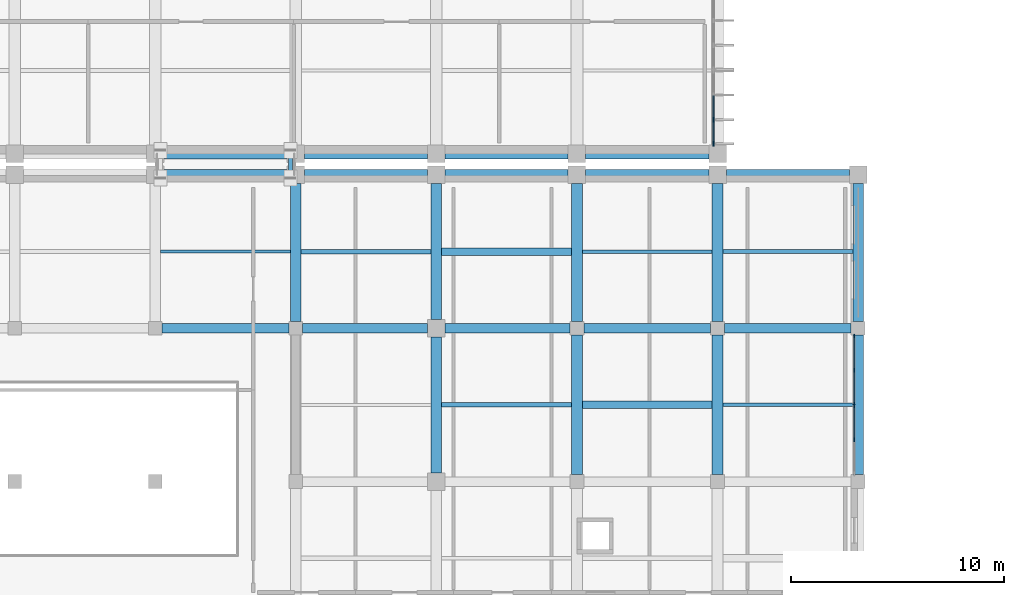
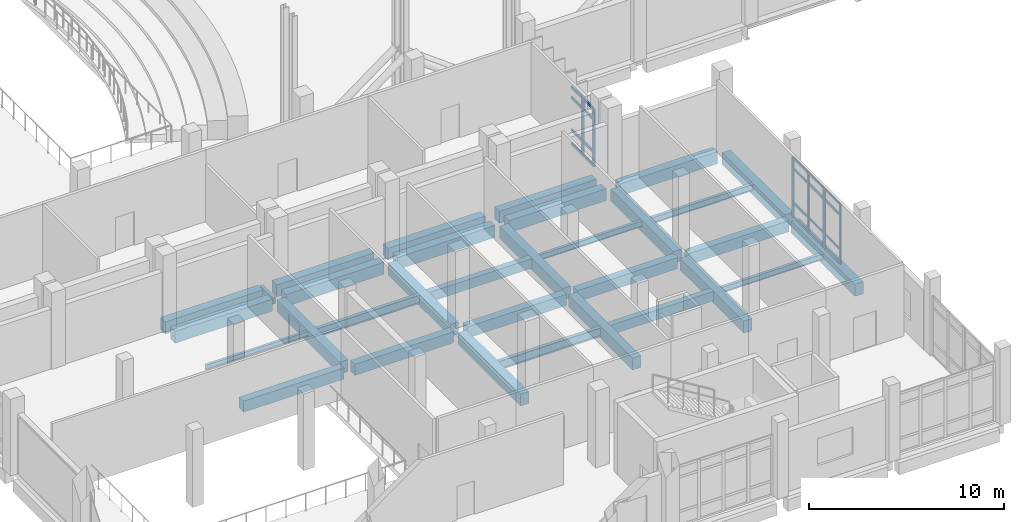
# One storey, part 11 of 73: 32 beams, 27 members, 3 elements without a shape of their own.
"""IFC4 building model written with IfcOpenShell, lengths in metres."""

from ifc_helpers import new_model, si_unit, direction, frame, origin, origin_2d, place, context, subcontext, project, spatial, rectangle, hollow_rectangle, i_section, extrude, material, layer, layer_set, material_profile, profile_set, type_object, element, aggregate, save


model = new_model("IFC4")

# Units and contexts
model_context = context("Model", 3, precision=1e-05, world=origin(), true_north=direction((0.0, 1.0)))
body_context = subcontext(model_context, "Body", "Model", "MODEL_VIEW")
ifc_project = project(units=[si_unit("LENGTHUNIT", "METRE"), si_unit("AREAUNIT", "SQUARE_METRE"), si_unit("VOLUMEUNIT", "CUBIC_METRE"), si_unit("PLANEANGLEUNIT", "RADIAN"), si_unit("MASSUNIT", "GRAM", prefix="KILO")], contexts=[model_context])

# Site, building, storey
site_placement = place(None, origin())
site = spatial("IfcSite", under=ifc_project, at=site_placement, CompositionType="ELEMENT")
building_placement = place(site_placement, origin())
building = spatial("IfcBuilding", under=site, at=building_placement, Name="Kelarvand Opera House", CompositionType="ELEMENT")
storey_placement = place(building_placement, frame((0.0, 0.0, 10.199951171875)))
storey = spatial("IfcBuildingStorey", under=building, at=storey_placement, Name="L02", CompositionType="ELEMENT", Elevation=10.199951171875)

# Curtain wall, members
ifc_material_1 = material(Name="Thermally broken aluminium and low-E glazing", Category="aluminium")
ifc_layer_1 = layer(ifc_material_1, 0.179931640625, Name="Thermally broken aluminium and low-E glazing", Category="aluminium")
ifc_layer_set_1 = layer_set([ifc_layer_1], Name="Thermally broken aluminium and low-E glazing")
curtain_wall_type_1 = type_object("IfcCurtainWallType", Name="Unitised Low-E Curtain Wall 3261x3750 Mod 1350 CWF-26", PredefinedType="USERDEFINED", material=ifc_layer_set_1)
curtain_wall_1_placement = place(storey_placement, origin())
curtain_wall_1 = element("IfcCurtainWall", 1, at=curtain_wall_1_placement, inside=storey, type_object=curtain_wall_type_1, Name="V6 L02 Curtain Wall CWF-26 (217)", ObjectType="UNITISED CURTAIN WALL", PredefinedType="USERDEFINED")
ifc_material_2 = material(Name="Thermally broken anodised aluminium", Category="aluminium")
ifc_material_profile_1 = material_profile(ifc_material_2, rectangle(XDim=0.06494140625, YDim=0.179931640625, at=origin_2d()), Name="ALU MULLION 65x180", Category="aluminium")
ifc_profile_set_1 = profile_set([ifc_material_profile_1], Name="Thermally broken anodised aluminium")
member_type_1 = type_object("IfcMemberType", Name="Curtain Wall Mullion 65x180 Aluminium", PredefinedType="MULLION", material=ifc_profile_set_1)
member_1_placement = place(storey_placement, frame((135.02001953125, 30.232421875, 0.0), z_axis=(0.0, 0.0, 1.0), x_axis=(1.0, 0.0, 0.0)))
member_1 = element("IfcMember", 2, at=member_1_placement, type_object=member_type_1, Name="CWF-26 mullion 1", PredefinedType="MULLION", context=body_context, shape_type="SweptSolid", body=[
    extrude(rectangle(XDim=0.06494140625, YDim=0.179931640625, at=origin_2d()), origin(), (0.0, 0.0, 1.0), 3.75),
])
member_2_placement = place(storey_placement, frame((135.02001953125, 28.634521484375, 0.0), z_axis=(0.0, 0.0, 1.0), x_axis=(1.0, 0.0, 0.0)))
member_2 = element("IfcMember", 3, at=member_2_placement, type_object=member_type_1, Name="CWF-26 mullion 2", PredefinedType="MULLION", context=body_context, shape_type="SweptSolid", body=[
    extrude(rectangle(XDim=0.06494140625, YDim=0.179931640625, at=origin_2d()), origin(), (0.0, 0.0, 1.0), 3.75),
])
member_3_placement = place(storey_placement, frame((135.02001953125, 27.03662109375, 0.0), z_axis=(0.0, 0.0, 1.0), x_axis=(1.0, 0.0, 0.0)))
member_3 = element("IfcMember", 4, at=member_3_placement, type_object=member_type_1, Name="CWF-26 mullion 3", PredefinedType="MULLION", context=body_context, shape_type="SweptSolid", body=[
    extrude(rectangle(XDim=0.06494140625, YDim=0.179931640625, at=origin_2d()), origin(), (0.0, 0.0, 1.0), 3.75),
])

curtain_wall_2_placement = place(storey_placement, origin())
curtain_wall_2 = element("IfcCurtainWall", 5, at=curtain_wall_2_placement, inside=storey, type_object=curtain_wall_type_1, Name="V6 L02 Curtain Wall CWF-26 (218)", ObjectType="UNITISED CURTAIN WALL", PredefinedType="USERDEFINED")
member_4_placement = place(storey_placement, frame((135.02001953125, 26.967529296875, 0.0), z_axis=(0.0, 0.0, 1.0), x_axis=(1.0, 0.0, 0.0)))
member_4 = element("IfcMember", 6, at=member_4_placement, type_object=member_type_1, Name="CWF-26 mullion 1", PredefinedType="MULLION", context=body_context, shape_type="SweptSolid", body=[
    extrude(rectangle(XDim=0.06494140625, YDim=0.179931640625, at=origin_2d()), origin(), (0.0, 0.0, 1.0), 3.75),
])
member_5_placement = place(storey_placement, frame((135.02001953125, 25.367431640625, 0.0), z_axis=(0.0, 0.0, 1.0), x_axis=(1.0, 0.0, 0.0)))
member_5 = element("IfcMember", 7, at=member_5_placement, type_object=member_type_1, Name="CWF-26 mullion 2", PredefinedType="MULLION", context=body_context, shape_type="SweptSolid", body=[
    extrude(rectangle(XDim=0.06494140625, YDim=0.179931640625, at=origin_2d()), origin(), (0.0, 0.0, 1.0), 3.75),
])

ifc_layer_2 = layer(ifc_material_1, 0.219970703125, Name="Thermally broken aluminium and low-E glazing", Category="aluminium")
ifc_layer_set_2 = layer_set([ifc_layer_2], Name="Thermally broken aluminium and low-E glazing")
curtain_wall_type_2 = type_object("IfcCurtainWallType", Name="Unitised Low-E Curtain Wall 3493x3630 Mod 1150 CWF-05", PredefinedType="USERDEFINED", material=ifc_layer_set_2)
curtain_wall_3_placement = place(storey_placement, origin())
curtain_wall_3 = element("IfcCurtainWall", 8, at=curtain_wall_3_placement, inside=storey, type_object=curtain_wall_type_2, Name="V1 L02 Curtain Wall CWF-05 (20)", ObjectType="UNITISED CURTAIN WALL", PredefinedType="USERDEFINED")
ifc_material_profile_2 = material_profile(ifc_material_2, rectangle(XDim=0.074951171875, YDim=0.219970703125, at=origin_2d()), Name="ALU MULLION 75x220", Category="aluminium")
ifc_profile_set_2 = profile_set([ifc_material_profile_2], Name="Thermally broken anodised aluminium")
member_type_2 = type_object("IfcMemberType", Name="Curtain Wall Mullion 75x220 Heavy Plaza", PredefinedType="MULLION", material=ifc_profile_set_2)
member_6_placement = place(storey_placement, frame((128.419921875, 40.3857421875, 0.0), z_axis=(0.0, 0.0, 1.0), x_axis=(1.0, 0.0, 0.0)))
member_6 = element("IfcMember", 9, at=member_6_placement, type_object=member_type_2, Name="CWF-05 mullion 3", PredefinedType="MULLION", context=body_context, shape_type="SweptSolid", body=[
    extrude(rectangle(XDim=0.074951171875, YDim=0.219970703125, at=origin_2d()), origin(), (0.0, 0.0, 1.0), 3.630126953125),
])
member_7_placement = place(storey_placement, frame((128.419921875, 39.257568359375, 0.0), z_axis=(0.0, 0.0, 1.0), x_axis=(1.0, 0.0, 0.0)))
member_7 = element("IfcMember", 10, at=member_7_placement, type_object=member_type_2, Name="CWF-05 mullion 4", PredefinedType="MULLION", context=body_context, shape_type="SweptSolid", body=[
    extrude(rectangle(XDim=0.074951171875, YDim=0.219970703125, at=origin_2d()), origin(), (0.0, 0.0, 1.0), 3.630126953125),
])

# Member
ifc_material_profile_3 = material_profile(ifc_material_2, rectangle(XDim=0.06494140625, YDim=0.139892578125, at=origin_2d()), Name="ALU TRANSOM 65x140", Category="aluminium")
ifc_profile_set_3 = profile_set([ifc_material_profile_3], Name="Thermally broken anodised aluminium")
member_type_3 = type_object("IfcMemberType", Name="Curtain Wall Transom 65x140 Aluminium", PredefinedType="USERDEFINED", material=ifc_profile_set_3)
member_8_placement = place(storey_placement, frame((135.02001953125, 30.199951171875, 0.032470703125), z_axis=(0.0, -1.0, 0.0), x_axis=(1.0, 0.0, 0.0)))
member_8 = element("IfcMember", 11, at=member_8_placement, type_object=member_type_3, Name="CWF-26 transom 1.1", ObjectType="TRANSOM", PredefinedType="USERDEFINED", context=body_context, shape_type="SweptSolid", body=[
    extrude(rectangle(XDim=0.06494140625, YDim=0.139892578125, at=origin_2d()), origin(), (0.0, 0.0, 1.0), 1.532958984375),
])

member_9_placement = place(storey_placement, frame((135.02001953125, 30.199951171875, 0.900146484375), z_axis=(0.0, -1.0, 0.0), x_axis=(1.0, 0.0, 0.0)))
member_9 = element("IfcMember", 12, at=member_9_placement, type_object=member_type_3, Name="CWF-26 transom 1.2", ObjectType="TRANSOM", PredefinedType="USERDEFINED", context=body_context, shape_type="SweptSolid", body=[
    extrude(rectangle(XDim=0.06494140625, YDim=0.139892578125, at=origin_2d()), origin(), (0.0, 0.0, 1.0), 1.532958984375),
])

member_10_placement = place(storey_placement, frame((135.02001953125, 30.199951171875, 3.050048828125), z_axis=(0.0, -1.0, 0.0), x_axis=(1.0, 0.0, 0.0)))
member_10 = element("IfcMember", 13, at=member_10_placement, type_object=member_type_3, Name="CWF-26 transom 1.3", ObjectType="TRANSOM", PredefinedType="USERDEFINED", context=body_context, shape_type="SweptSolid", body=[
    extrude(rectangle(XDim=0.06494140625, YDim=0.139892578125, at=origin_2d()), origin(), (0.0, 0.0, 1.0), 1.532958984375),
])

member_11_placement = place(storey_placement, frame((135.02001953125, 30.199951171875, 3.717529296875), z_axis=(0.0, -1.0, 0.0), x_axis=(1.0, 0.0, 0.0)))
member_11 = element("IfcMember", 14, at=member_11_placement, type_object=member_type_3, Name="CWF-26 transom 1.4", ObjectType="TRANSOM", PredefinedType="USERDEFINED", context=body_context, shape_type="SweptSolid", body=[
    extrude(rectangle(XDim=0.06494140625, YDim=0.139892578125, at=origin_2d()), origin(), (0.0, 0.0, 1.0), 1.532958984375),
])

member_12_placement = place(storey_placement, frame((135.02001953125, 28.60205078125, 0.032470703125), z_axis=(0.0, -1.0, 0.0), x_axis=(1.0, 0.0, 0.0)))
member_12 = element("IfcMember", 15, at=member_12_placement, type_object=member_type_3, Name="CWF-26 transom 2.1", ObjectType="TRANSOM", PredefinedType="USERDEFINED", context=body_context, shape_type="SweptSolid", body=[
    extrude(rectangle(XDim=0.06494140625, YDim=0.139892578125, at=origin_2d()), origin(), (0.0, 0.0, 1.0), 1.532958984375),
])

member_13_placement = place(storey_placement, frame((135.02001953125, 28.60205078125, 0.900146484375), z_axis=(0.0, -1.0, 0.0), x_axis=(1.0, 0.0, 0.0)))
member_13 = element("IfcMember", 16, at=member_13_placement, type_object=member_type_3, Name="CWF-26 transom 2.2", ObjectType="TRANSOM", PredefinedType="USERDEFINED", context=body_context, shape_type="SweptSolid", body=[
    extrude(rectangle(XDim=0.06494140625, YDim=0.139892578125, at=origin_2d()), origin(), (0.0, 0.0, 1.0), 1.532958984375),
])

member_14_placement = place(storey_placement, frame((135.02001953125, 28.60205078125, 3.050048828125), z_axis=(0.0, -1.0, 0.0), x_axis=(1.0, 0.0, 0.0)))
member_14 = element("IfcMember", 17, at=member_14_placement, type_object=member_type_3, Name="CWF-26 transom 2.3", ObjectType="TRANSOM", PredefinedType="USERDEFINED", context=body_context, shape_type="SweptSolid", body=[
    extrude(rectangle(XDim=0.06494140625, YDim=0.139892578125, at=origin_2d()), origin(), (0.0, 0.0, 1.0), 1.532958984375),
])

member_15_placement = place(storey_placement, frame((135.02001953125, 28.60205078125, 3.717529296875), z_axis=(0.0, -1.0, 0.0), x_axis=(1.0, 0.0, 0.0)))
member_15 = element("IfcMember", 18, at=member_15_placement, type_object=member_type_3, Name="CWF-26 transom 2.4", ObjectType="TRANSOM", PredefinedType="USERDEFINED", context=body_context, shape_type="SweptSolid", body=[
    extrude(rectangle(XDim=0.06494140625, YDim=0.139892578125, at=origin_2d()), origin(), (0.0, 0.0, 1.0), 1.532958984375),
])

aggregate(curtain_wall_1, [member_1, member_2, member_3, member_8, member_9, member_10, member_11, member_12, member_13, member_14, member_15])

member_16_placement = place(storey_placement, frame((135.02001953125, 26.93505859375, 0.032470703125), z_axis=(0.0, -1.0, 0.0), x_axis=(1.0, 0.0, 0.0)))
member_16 = element("IfcMember", 19, at=member_16_placement, type_object=member_type_3, Name="CWF-26 transom 1.1", ObjectType="TRANSOM", PredefinedType="USERDEFINED", context=body_context, shape_type="SweptSolid", body=[
    extrude(rectangle(XDim=0.06494140625, YDim=0.139892578125, at=origin_2d()), origin(), (0.0, 0.0, 1.0), 1.53515625),
])

member_17_placement = place(storey_placement, frame((135.02001953125, 26.93505859375, 0.900146484375), z_axis=(0.0, -1.0, 0.0), x_axis=(1.0, 0.0, 0.0)))
member_17 = element("IfcMember", 20, at=member_17_placement, type_object=member_type_3, Name="CWF-26 transom 1.2", ObjectType="TRANSOM", PredefinedType="USERDEFINED", context=body_context, shape_type="SweptSolid", body=[
    extrude(rectangle(XDim=0.06494140625, YDim=0.139892578125, at=origin_2d()), origin(), (0.0, 0.0, 1.0), 1.53515625),
])

member_18_placement = place(storey_placement, frame((135.02001953125, 26.93505859375, 3.050048828125), z_axis=(0.0, -1.0, 0.0), x_axis=(1.0, 0.0, 0.0)))
member_18 = element("IfcMember", 21, at=member_18_placement, type_object=member_type_3, Name="CWF-26 transom 1.3", ObjectType="TRANSOM", PredefinedType="USERDEFINED", context=body_context, shape_type="SweptSolid", body=[
    extrude(rectangle(XDim=0.06494140625, YDim=0.139892578125, at=origin_2d()), origin(), (0.0, 0.0, 1.0), 1.53515625),
])

member_19_placement = place(storey_placement, frame((135.02001953125, 26.93505859375, 3.717529296875), z_axis=(0.0, -1.0, 0.0), x_axis=(1.0, 0.0, 0.0)))
member_19 = element("IfcMember", 22, at=member_19_placement, type_object=member_type_3, Name="CWF-26 transom 1.4", ObjectType="TRANSOM", PredefinedType="USERDEFINED", context=body_context, shape_type="SweptSolid", body=[
    extrude(rectangle(XDim=0.06494140625, YDim=0.139892578125, at=origin_2d()), origin(), (0.0, 0.0, 1.0), 1.53515625),
])

aggregate(curtain_wall_2, [member_4, member_5, member_16, member_17, member_18, member_19])

ifc_material_profile_4 = material_profile(ifc_material_2, rectangle(XDim=0.074951171875, YDim=0.159912109375, at=origin_2d()), Name="ALU TRANSOM 75x160", Category="aluminium")
ifc_profile_set_4 = profile_set([ifc_material_profile_4], Name="Thermally broken anodised aluminium")
member_type_4 = type_object("IfcMemberType", Name="Curtain Wall Transom 75x160 Heavy Plaza", PredefinedType="USERDEFINED", material=ifc_profile_set_4)
member_20_placement = place(storey_placement, frame((128.419921875, 41.51416015625, 0.03759765625), z_axis=(0.0, -1.0, 0.0), x_axis=(1.0, 0.0, 0.0)))
member_20 = element("IfcMember", 23, at=member_20_placement, type_object=member_type_4, Name="CWF-05 transom 2.1", ObjectType="TRANSOM", PredefinedType="USERDEFINED", context=body_context, shape_type="SweptSolid", body=[
    extrude(rectangle(XDim=0.074951171875, YDim=0.159912109375, at=origin_2d()), origin(), (0.0, 0.0, 1.0), 1.0908203125),
])

member_21_placement = place(storey_placement, frame((128.419921875, 41.51416015625, 0.900146484375), z_axis=(0.0, -1.0, 0.0), x_axis=(1.0, 0.0, 0.0)))
member_21 = element("IfcMember", 24, at=member_21_placement, type_object=member_type_4, Name="CWF-05 transom 2.2", ObjectType="TRANSOM", PredefinedType="USERDEFINED", context=body_context, shape_type="SweptSolid", body=[
    extrude(rectangle(XDim=0.074951171875, YDim=0.159912109375, at=origin_2d()), origin(), (0.0, 0.0, 1.0), 1.0908203125),
])

member_22_placement = place(storey_placement, frame((128.419921875, 41.51416015625, 2.929931640625), z_axis=(0.0, -1.0, 0.0), x_axis=(1.0, 0.0, 0.0)))
member_22 = element("IfcMember", 25, at=member_22_placement, type_object=member_type_4, Name="CWF-05 transom 2.3", ObjectType="TRANSOM", PredefinedType="USERDEFINED", context=body_context, shape_type="SweptSolid", body=[
    extrude(rectangle(XDim=0.074951171875, YDim=0.159912109375, at=origin_2d()), origin(), (0.0, 0.0, 1.0), 1.0908203125),
])

member_23_placement = place(storey_placement, frame((128.419921875, 41.51416015625, 3.592529296875), z_axis=(0.0, -1.0, 0.0), x_axis=(1.0, 0.0, 0.0)))
member_23 = element("IfcMember", 26, at=member_23_placement, type_object=member_type_4, Name="CWF-05 transom 2.4", ObjectType="TRANSOM", PredefinedType="USERDEFINED", context=body_context, shape_type="SweptSolid", body=[
    extrude(rectangle(XDim=0.074951171875, YDim=0.159912109375, at=origin_2d()), origin(), (0.0, 0.0, 1.0), 1.0908203125),
])

member_24_placement = place(storey_placement, frame((128.419921875, 40.348388671875, 0.03759765625), z_axis=(0.0, -1.0, 0.0), x_axis=(1.0, 0.0, 0.0)))
member_24 = element("IfcMember", 27, at=member_24_placement, type_object=member_type_4, Name="CWF-05 transom 3.1", ObjectType="TRANSOM", PredefinedType="USERDEFINED", context=body_context, shape_type="SweptSolid", body=[
    extrude(rectangle(XDim=0.074951171875, YDim=0.159912109375, at=origin_2d()), origin(), (0.0, 0.0, 1.0), 1.053466796875),
])

member_25_placement = place(storey_placement, frame((128.419921875, 40.348388671875, 0.900146484375), z_axis=(0.0, -1.0, 0.0), x_axis=(1.0, 0.0, 0.0)))
member_25 = element("IfcMember", 28, at=member_25_placement, type_object=member_type_4, Name="CWF-05 transom 3.2", ObjectType="TRANSOM", PredefinedType="USERDEFINED", context=body_context, shape_type="SweptSolid", body=[
    extrude(rectangle(XDim=0.074951171875, YDim=0.159912109375, at=origin_2d()), origin(), (0.0, 0.0, 1.0), 1.053466796875),
])

member_26_placement = place(storey_placement, frame((128.419921875, 40.348388671875, 2.929931640625), z_axis=(0.0, -1.0, 0.0), x_axis=(1.0, 0.0, 0.0)))
member_26 = element("IfcMember", 29, at=member_26_placement, type_object=member_type_4, Name="CWF-05 transom 3.3", ObjectType="TRANSOM", PredefinedType="USERDEFINED", context=body_context, shape_type="SweptSolid", body=[
    extrude(rectangle(XDim=0.074951171875, YDim=0.159912109375, at=origin_2d()), origin(), (0.0, 0.0, 1.0), 1.053466796875),
])

member_27_placement = place(storey_placement, frame((128.419921875, 40.348388671875, 3.592529296875), z_axis=(0.0, -1.0, 0.0), x_axis=(1.0, 0.0, 0.0)))
member_27 = element("IfcMember", 30, at=member_27_placement, type_object=member_type_4, Name="CWF-05 transom 3.4", ObjectType="TRANSOM", PredefinedType="USERDEFINED", context=body_context, shape_type="SweptSolid", body=[
    extrude(rectangle(XDim=0.074951171875, YDim=0.159912109375, at=origin_2d()), origin(), (0.0, 0.0, 1.0), 1.053466796875),
])

aggregate(curtain_wall_3, [member_6, member_7, member_20, member_21, member_22, member_23, member_24, member_25, member_26, member_27])

# Beams
ifc_material_3 = material(Name="Concrete C35/45", Category="concrete")
ifc_material_profile_5 = material_profile(ifc_material_3, rectangle(XDim=0.35009765625, YDim=0.60009765625, at=origin_2d()), Name="RC 350x600", Category="concrete")
ifc_profile_set_5 = profile_set([ifc_material_profile_5], Name="Concrete C35/45")
beam_type_1 = type_object("IfcBeamType", Name="Structural Beam RC 350x600 BM-RC350x600", PredefinedType="BEAM", material=ifc_profile_set_5)
for number, where, z_axis, x_axis, name in (
    (31, (115.64990234375, 34.199951171875, -0.599853515625), (1.0, 0.0, 0.0), (0.0, 1.0, 0.0), "V6 L02 Beam BM-RC350x600"),
    (32, (122.25, 27.0, -0.599853515625), (1.0, 0.0, 0.0), (0.0, 1.0, 0.0), "V6 L02 Beam BM-RC350x600"),
):
    element("IfcBeam", number, at=place(storey_placement, frame(where, z_axis=z_axis, x_axis=x_axis)), inside=storey, type_object=beam_type_1, Name=name, PredefinedType="BEAM", context=body_context, shape_type="SweptSolid", body=[
        extrude(rectangle(XDim=0.35009765625, YDim=0.60009765625, at=origin_2d()), origin(), (0.0, 0.0, 1.0), 6.10009765625),
    ])
ifc_material_4 = material(Name="Concrete C40/50", Category="concrete")
ifc_material_profile_6 = material_profile(ifc_material_4, rectangle(XDim=0.449951171875, YDim=0.699951171875, at=origin_2d()), Name="RC 450x700", Category="concrete")
ifc_profile_set_6 = profile_set([ifc_material_profile_6], Name="Concrete C40/50")
beam_type_2 = type_object("IfcBeamType", Name="Structural Beam RC 450x700 BM-RC450x700", PredefinedType="BEAM", material=ifc_profile_set_6)
beam_1_placement = place(storey_placement, frame((102.52490234375, 30.60009765625, -0.64990234375), z_axis=(1.0, 0.0, 0.0), x_axis=(0.0, 1.0, 0.0)))
element("IfcBeam", 33, at=beam_1_placement, inside=storey, type_object=beam_type_2, Name="V6 L02 Beam BM-RC450x700", PredefinedType="BEAM", context=body_context, shape_type="SweptSolid", body=[
    extrude(rectangle(XDim=0.449951171875, YDim=0.699951171875, at=origin_2d()), origin(), (0.0, 0.0, 1.0), 5.9501953125),
])
for number, where, z_axis, x_axis, name in (
    (34, (109.125, 30.60009765625, -0.64990234375), (1.0, 0.0, 0.0), (0.0, 1.0, 0.0), "V6 L02 Beam BM-RC450x700"),
    (35, (115.81005859375, 30.60009765625, -0.64990234375), (1.0, 0.0, 0.0), (0.0, 1.0, 0.0), "V6 L02 Beam BM-RC450x700"),
):
    element("IfcBeam", number, at=place(storey_placement, frame(where, z_axis=z_axis, x_axis=x_axis)), inside=storey, type_object=beam_type_2, Name=name, PredefinedType="BEAM", context=body_context, shape_type="SweptSolid", body=[
        extrude(rectangle(XDim=0.449951171875, YDim=0.699951171875, at=origin_2d()), origin(), (0.0, 0.0, 1.0), 5.864990234375),
    ])
for number, where, z_axis, x_axis, name in (
    (36, (122.324951171875, 30.60009765625, -0.64990234375), (1.0, 0.0, 0.0), (0.0, 1.0, 0.0), "V6 L02 Beam BM-RC450x700"),
    (37, (128.925048828125, 30.60009765625, -0.64990234375), (1.0, 0.0, 0.0), (0.0, 1.0, 0.0), "V6 L02 Beam BM-RC450x700"),
):
    element("IfcBeam", number, at=place(storey_placement, frame(where, z_axis=z_axis, x_axis=x_axis)), inside=storey, type_object=beam_type_2, Name=name, PredefinedType="BEAM", context=body_context, shape_type="SweptSolid", body=[
        extrude(rectangle(XDim=0.449951171875, YDim=0.699951171875, at=origin_2d()), origin(), (0.0, 0.0, 1.0), 5.949951171875),
    ])
ifc_material_profile_7 = material_profile(ifc_material_4, rectangle(XDim=0.5, YDim=0.75, at=origin_2d()), Name="RC 500x750", Category="concrete")
ifc_profile_set_7 = profile_set([ifc_material_profile_7], Name="Concrete C40/50")
beam_type_3 = type_object("IfcBeamType", Name="Structural Beam RC 500x750 BM-RC500x750", PredefinedType="BEAM", material=ifc_profile_set_7)
beam_2_placement = place(storey_placement, frame((108.800048828125, 30.925048828125, -0.675048828125), z_axis=(0.0, 1.0, 0.0), x_axis=(-1.0, 0.0, 0.0)))
element("IfcBeam", 38, at=beam_2_placement, inside=storey, type_object=beam_type_3, Name="V6 L02 Beam BM-RC500x750", PredefinedType="BEAM", context=body_context, shape_type="SweptSolid", body=[
    extrude(rectangle(XDim=0.5, YDim=0.75, at=origin_2d()), origin(), (0.0, 0.0, 1.0), 6.46484375),
])
for number, where, z_axis, x_axis, name in (
    (39, (115.39990234375, 23.81005859375, -0.675048828125), (0.0, 1.0, 0.0), (-1.0, 0.0, 0.0), "V6 L02 Beam BM-RC500x750"),
    (40, (115.39990234375, 31.010009765625, -0.675048828125), (0.0, 1.0, 0.0), (-1.0, 0.0, 0.0), "V6 L02 Beam BM-RC500x750"),
):
    element("IfcBeam", number, at=place(storey_placement, frame(where, z_axis=z_axis, x_axis=x_axis)), inside=storey, type_object=beam_type_3, Name=name, PredefinedType="BEAM", context=body_context, shape_type="SweptSolid", body=[
        extrude(rectangle(XDim=0.5, YDim=0.75, at=origin_2d()), origin(), (0.0, 0.0, 1.0), 6.3798828125),
    ])
beam_3_placement = place(storey_placement, frame((122.0, 23.72509765625, -0.675048828125), z_axis=(0.0, 1.0, 0.0), x_axis=(-1.0, 0.0, 0.0)))
element("IfcBeam", 41, at=beam_3_placement, inside=storey, type_object=beam_type_3, Name="V6 L02 Beam BM-RC500x750", PredefinedType="BEAM", context=body_context, shape_type="SweptSolid", body=[
    extrude(rectangle(XDim=0.5, YDim=0.75, at=origin_2d()), origin(), (0.0, 0.0, 1.0), 6.5498046875),
])
beam_4_placement = place(storey_placement, frame((122.0, 30.925048828125, -0.675048828125), z_axis=(0.0, 1.0, 0.0), x_axis=(-1.0, 0.0, 0.0)))
element("IfcBeam", 42, at=beam_4_placement, inside=storey, type_object=beam_type_3, Name="V6 L02 Beam BM-RC500x750", PredefinedType="BEAM", context=body_context, shape_type="SweptSolid", body=[
    extrude(rectangle(XDim=0.5, YDim=0.75, at=origin_2d()), origin(), (0.0, 0.0, 1.0), 6.46484375),
])
beam_5_placement = place(storey_placement, frame((128.60009765625, 23.72509765625, -0.675048828125), z_axis=(0.0, 1.0, 0.0), x_axis=(-1.0, 0.0, 0.0)))
element("IfcBeam", 43, at=beam_5_placement, inside=storey, type_object=beam_type_3, Name="V6 L02 Beam BM-RC500x750", PredefinedType="BEAM", context=body_context, shape_type="SweptSolid", body=[
    extrude(rectangle(XDim=0.5, YDim=0.75, at=origin_2d()), origin(), (0.0, 0.0, 1.0), 6.5498046875),
])
beam_6_placement = place(storey_placement, frame((128.60009765625, 30.925048828125, -0.675048828125), z_axis=(0.0, 1.0, 0.0), x_axis=(-1.0, 0.0, 0.0)))
element("IfcBeam", 44, at=beam_6_placement, inside=storey, type_object=beam_type_3, Name="V6 L02 Beam BM-RC500x750", PredefinedType="BEAM", context=body_context, shape_type="SweptSolid", body=[
    extrude(rectangle(XDim=0.5, YDim=0.75, at=origin_2d()), origin(), (0.0, 0.0, 1.0), 6.46484375),
])
beam_7_placement = place(storey_placement, frame((135.199951171875, 23.72509765625, -0.675048828125), z_axis=(0.0, 1.0, 0.0), x_axis=(-1.0, 0.0, 0.0)))
element("IfcBeam", 45, at=beam_7_placement, inside=storey, type_object=beam_type_3, Name="V6 L02 Beam BM-RC500x750", PredefinedType="BEAM", context=body_context, shape_type="SweptSolid", body=[
    extrude(rectangle(XDim=0.5, YDim=0.75, at=origin_2d()), origin(), (0.0, 0.0, 1.0), 6.5498046875),
])
beam_8_placement = place(storey_placement, frame((135.199951171875, 30.925048828125, -0.675048828125), z_axis=(0.0, 1.0, 0.0), x_axis=(-1.0, 0.0, 0.0)))
element("IfcBeam", 46, at=beam_8_placement, inside=storey, type_object=beam_type_3, Name="V6 L02 Beam BM-RC500x750", PredefinedType="BEAM", context=body_context, shape_type="SweptSolid", body=[
    extrude(rectangle(XDim=0.5, YDim=0.75, at=origin_2d()), origin(), (0.0, 0.0, 1.0), 6.46484375),
])
ifc_material_5 = material(Name="Steel S355", Category="steel")
ifc_material_profile_8 = material_profile(ifc_material_5, hollow_rectangle(XDim=0.199951171875, YDim=0.39990234375, WallThickness=0.01611328125, at=origin_2d()), Name="RHS 400x200x16.0", Category="steel")
ifc_profile_set_8 = profile_set([ifc_material_profile_8], Name="Steel S355")
beam_type_4 = type_object("IfcBeamType", Name="Structural Beam RHS 400x200x16.0 BM-RHS400", PredefinedType="BEAM", material=ifc_profile_set_8)
beam_9_placement = place(storey_placement, frame((108.550048828125, 37.64990234375, -0.52001953125), z_axis=(0.0, 1.0, 0.0), x_axis=(-1.0, 0.0, 0.0)))
element("IfcBeam", 47, at=beam_9_placement, inside=storey, type_object=beam_type_4, Name="Seismic Sliding Corbel Beam BR-JS-E L02 2", PredefinedType="BEAM", context=body_context, shape_type="SweptSolid", body=[
    extrude(hollow_rectangle(XDim=0.199951171875, YDim=0.39990234375, WallThickness=0.01611328125, at=origin_2d()), origin(), (0.0, 0.0, 1.0), 1.300048828125),
])
ifc_material_profile_9 = material_profile(ifc_material_5, i_section(OverallWidth=0.14990234375, OverallDepth=0.300048828125, WebThickness=0.007080078125, FlangeThickness=0.0107421875, at=origin_2d()), Name="IPE 300", Category="steel")
ifc_profile_set_9 = profile_set([ifc_material_profile_9], Name="Steel S355")
beam_type_5 = type_object("IfcBeamType", Name="Structural Joist IPE 300 JS-IPE300", PredefinedType="JOIST", material=ifc_profile_set_9)
beam_10_placement = place(storey_placement, frame((102.449951171875, 34.199951171875, -0.449951171875), z_axis=(1.0, 0.0, 0.0), x_axis=(0.0, 1.0, 0.0)))
element("IfcBeam", 48, at=beam_10_placement, inside=storey, type_object=beam_type_5, Name="V6 L02 Beam JS-IPE300", PredefinedType="JOIST", context=body_context, shape_type="SweptSolid", body=[
    extrude(i_section(OverallWidth=0.14990234375, OverallDepth=0.300048828125, WebThickness=0.007080078125, FlangeThickness=0.0107421875, at=origin_2d()), origin(), (0.0, 0.0, 1.0), 6.10009765625),
])
ifc_material_profile_10 = material_profile(ifc_material_5, i_section(OverallWidth=0.169921875, OverallDepth=0.360107421875, WebThickness=0.008056640625, FlangeThickness=0.0126953125, at=origin_2d()), Name="IPE 360", Category="steel")
ifc_profile_set_10 = profile_set([ifc_material_profile_10], Name="Steel S355")
beam_type_6 = type_object("IfcBeamType", Name="Structural Joist IPE 360 JS-IPE360", PredefinedType="JOIST", material=ifc_profile_set_10)
beam_11_placement = place(storey_placement, frame((122.25, 34.199951171875, -0.47998046875), z_axis=(1.0, 0.0, 0.0), x_axis=(0.0, 1.0, 0.0)))
element("IfcBeam", 49, at=beam_11_placement, inside=storey, type_object=beam_type_6, Name="V6 L02 Beam JS-IPE360", PredefinedType="JOIST", context=body_context, shape_type="SweptSolid", body=[
    extrude(i_section(OverallWidth=0.169921875, OverallDepth=0.360107421875, WebThickness=0.008056640625, FlangeThickness=0.0126953125, at=origin_2d()), origin(), (0.0, 0.0, 1.0), 6.10009765625),
])
beam_12_placement = place(storey_placement, frame((128.85009765625, 27.0, -0.47998046875), z_axis=(1.0, 0.0, 0.0), x_axis=(0.0, 1.0, 0.0)))
element("IfcBeam", 50, at=beam_12_placement, inside=storey, type_object=beam_type_6, Name="V6 L02 Beam JS-IPE360", PredefinedType="JOIST", context=body_context, shape_type="SweptSolid", body=[
    extrude(i_section(OverallWidth=0.169921875, OverallDepth=0.360107421875, WebThickness=0.008056640625, FlangeThickness=0.0126953125, at=origin_2d()), origin(), (0.0, 0.0, 1.0), 6.099853515625),
])
ifc_material_profile_11 = material_profile(ifc_material_5, i_section(OverallWidth=0.179931640625, OverallDepth=0.39990234375, WebThickness=0.008544921875, FlangeThickness=0.013427734375, at=origin_2d()), Name="IPE 400", Category="steel")
ifc_profile_set_11 = profile_set([ifc_material_profile_11], Name="Steel S355")
beam_type_7 = type_object("IfcBeamType", Name="Structural Joist IPE 400 JS-IPE400", PredefinedType="JOIST", material=ifc_profile_set_11)
beam_13_placement = place(storey_placement, frame((128.85009765625, 34.199951171875, -0.5), z_axis=(1.0, 0.0, 0.0), x_axis=(0.0, 1.0, 0.0)))
element("IfcBeam", 51, at=beam_13_placement, inside=storey, type_object=beam_type_7, Name="V6 L02 Beam JS-IPE400", PredefinedType="JOIST", context=body_context, shape_type="SweptSolid", body=[
    extrude(i_section(OverallWidth=0.179931640625, OverallDepth=0.39990234375, WebThickness=0.008544921875, FlangeThickness=0.013427734375, at=origin_2d()), origin(), (0.0, 0.0, 1.0), 6.099853515625),
])
ifc_material_profile_12 = material_profile(ifc_material_5, i_section(OverallWidth=0.2099609375, OverallDepth=0.550048828125, WebThickness=0.010986328125, FlangeThickness=0.01708984375, at=origin_2d()), Name="IPE 550", Category="steel")
ifc_profile_set_12 = profile_set([ifc_material_profile_12], Name="Steel S355")
beam_type_8 = type_object("IfcBeamType", Name="Structural Joist IPE 550 JS-IPE550", PredefinedType="JOIST", material=ifc_profile_set_12)
beam_14_placement = place(storey_placement, frame((109.050048828125, 34.199951171875, -0.574951171875), z_axis=(1.0, 0.0, 0.0), x_axis=(0.0, 1.0, 0.0)))
element("IfcBeam", 52, at=beam_14_placement, inside=storey, type_object=beam_type_8, Name="V6 L02 Beam JS-IPE550", PredefinedType="JOIST", context=body_context, shape_type="SweptSolid", body=[
    extrude(i_section(OverallWidth=0.2099609375, OverallDepth=0.550048828125, WebThickness=0.010986328125, FlangeThickness=0.01708984375, at=origin_2d()), origin(), (0.0, 0.0, 1.0), 6.099853515625),
])
beam_15_placement = place(storey_placement, frame((115.64990234375, 27.0, -0.574951171875), z_axis=(1.0, 0.0, 0.0), x_axis=(0.0, 1.0, 0.0)))
element("IfcBeam", 53, at=beam_15_placement, inside=storey, type_object=beam_type_8, Name="V6 L02 Beam JS-IPE550", PredefinedType="JOIST", context=body_context, shape_type="SweptSolid", body=[
    extrude(i_section(OverallWidth=0.2099609375, OverallDepth=0.550048828125, WebThickness=0.010986328125, FlangeThickness=0.01708984375, at=origin_2d()), origin(), (0.0, 0.0, 1.0), 6.10009765625),
])
ifc_material_profile_13 = material_profile(ifc_material_4, rectangle(XDim=0.5, YDim=0.75, at=origin_2d()), Name="RC 500x750", Category="concrete")
ifc_profile_set_13 = profile_set([ifc_material_profile_13], Name="Concrete C40/50")
beam_type_9 = type_object("IfcBeamType", Name="Structural Spandrel RC 500x750 SP-RC500x750E", PredefinedType="SPANDREL", material=ifc_profile_set_13)
beam_16_placement = place(storey_placement, frame((102.610107421875, 38.800048828125, -0.695068359375), z_axis=(1.0, 0.0, 0.0), x_axis=(0.0, 1.0, 0.0)))
element("IfcBeam", 54, at=beam_16_placement, inside=storey, type_object=beam_type_9, Name="V1 L02 Beam SP-RC500x750E", PredefinedType="SPANDREL", context=body_context, shape_type="SweptSolid", body=[
    extrude(rectangle(XDim=0.5, YDim=0.75, at=origin_2d()), origin(), (0.0, 0.0, 1.0), 5.77978515625),
])
for number, where, z_axis, x_axis, name in (
    (55, (109.2099609375, 38.800048828125, -0.695068359375), (1.0, 0.0, 0.0), (0.0, 1.0, 0.0), "V1 L02 Beam SP-RC500x750E"),
    (56, (115.81005859375, 38.800048828125, -0.695068359375), (1.0, 0.0, 0.0), (0.0, 1.0, 0.0), "V1 L02 Beam SP-RC500x750E"),
    (57, (122.409912109375, 38.800048828125, -0.695068359375), (1.0, 0.0, 0.0), (0.0, 1.0, 0.0), "V1 L02 Beam SP-RC500x750E"),
):
    element("IfcBeam", number, at=place(storey_placement, frame(where, z_axis=z_axis, x_axis=x_axis)), inside=storey, type_object=beam_type_9, Name=name, PredefinedType="SPANDREL", context=body_context, shape_type="SweptSolid", body=[
        extrude(rectangle(XDim=0.5, YDim=0.75, at=origin_2d()), origin(), (0.0, 0.0, 1.0), 5.780029296875),
    ])
beam_17_placement = place(storey_placement, frame((102.610107421875, 37.800048828125, -0.675048828125), z_axis=(1.0, 0.0, 0.0), x_axis=(0.0, 1.0, 0.0)))
element("IfcBeam", 58, at=beam_17_placement, inside=storey, type_object=beam_type_9, Name="V6 L02 Beam SP-RC500x750E", PredefinedType="SPANDREL", context=body_context, shape_type="SweptSolid", body=[
    extrude(rectangle(XDim=0.5, YDim=0.75, at=origin_2d()), origin(), (0.0, 0.0, 1.0), 5.77978515625),
])
for number, where, z_axis, x_axis, name in (
    (59, (109.2099609375, 37.800048828125, -0.675048828125), (1.0, 0.0, 0.0), (0.0, 1.0, 0.0), "V6 L02 Beam SP-RC500x750E"),
    (60, (115.81005859375, 37.800048828125, -0.675048828125), (1.0, 0.0, 0.0), (0.0, 1.0, 0.0), "V6 L02 Beam SP-RC500x750E"),
    (61, (122.409912109375, 37.800048828125, -0.675048828125), (1.0, 0.0, 0.0), (0.0, 1.0, 0.0), "V6 L02 Beam SP-RC500x750E"),
    (62, (129.010009765625, 37.800048828125, -0.675048828125), (1.0, 0.0, 0.0), (0.0, 1.0, 0.0), "V6 L02 Beam SP-RC500x750E"),
):
    element("IfcBeam", number, at=place(storey_placement, frame(where, z_axis=z_axis, x_axis=x_axis)), inside=storey, type_object=beam_type_9, Name=name, PredefinedType="SPANDREL", context=body_context, shape_type="SweptSolid", body=[
        extrude(rectangle(XDim=0.5, YDim=0.75, at=origin_2d()), origin(), (0.0, 0.0, 1.0), 5.780029296875),
    ])

save(model, "model.ifc")
